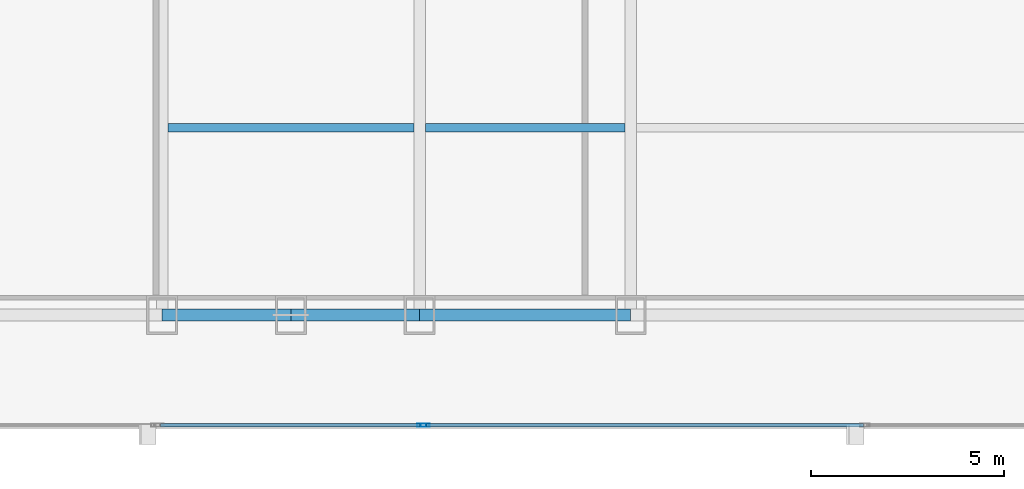
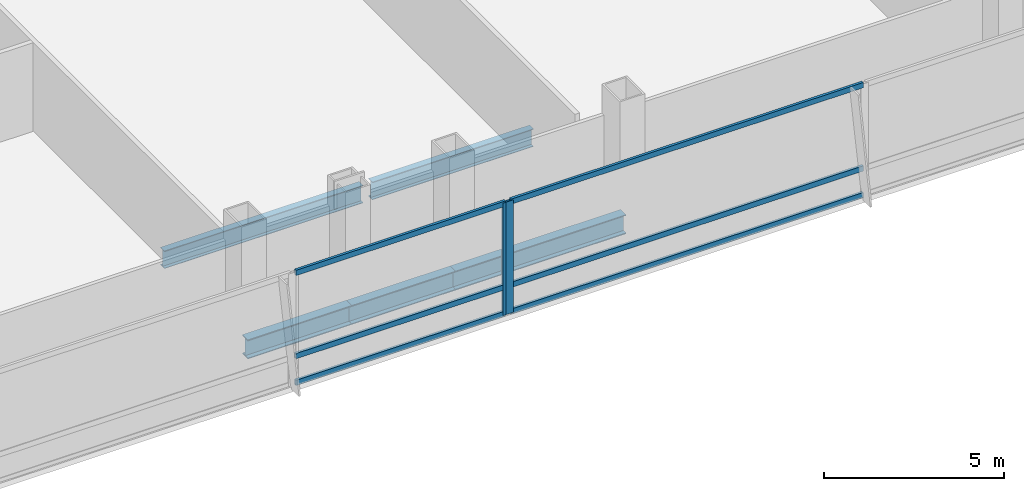
# One storey, part 8 of 35: 8 members, 5 beams, 2 elements without a shape of their own.
"""IFC4 building model written with IfcOpenShell, lengths in metres."""

from ifc_helpers import new_model, si_unit, direction, frame, origin, origin_2d, place, context, subcontext, project, spatial, hollow_rectangle, i_section, extrude, material, material_profile, profile_set, type_object, element, aggregate, save


model = new_model("IFC4")

# Units and contexts
model_context = context("Model", 3, precision=1e-05, world=origin(), true_north=direction((0.0, 1.0)))
body_context = subcontext(model_context, "Body", "Model", "MODEL_VIEW")
ifc_project = project(units=[si_unit("LENGTHUNIT", "METRE"), si_unit("AREAUNIT", "SQUARE_METRE"), si_unit("VOLUMEUNIT", "CUBIC_METRE"), si_unit("PLANEANGLEUNIT", "RADIAN"), si_unit("MASSUNIT", "GRAM", prefix="KILO")], contexts=[model_context])

# Site, building, storey
site_placement = place(None, origin())
site = spatial("IfcSite", under=ifc_project, at=site_placement, CompositionType="ELEMENT")
building_placement = place(site_placement, origin())
building = spatial("IfcBuilding", under=site, at=building_placement, Name="Khoronbel Lancet Exchange", CompositionType="ELEMENT")
storey_placement = place(building_placement, frame((0.0, 0.0, 69.800048828125)))
storey = spatial("IfcBuildingStorey", under=building, at=storey_placement, Name="L16", CompositionType="ELEMENT", Elevation=69.800048828125)

# Beams
ifc_material_1 = material(Name="Steel S355", Category="steel")
ifc_material_profile_1 = material_profile(ifc_material_1, i_section(OverallWidth=0.219970703125, OverallDepth=0.60009765625, WebThickness=0.011962890625, FlangeThickness=0.01904296875, at=origin_2d()), Name="IPE 600")
ifc_profile_set_1 = profile_set([ifc_material_profile_1], Name="Steel S355")
beam_type_1 = type_object("IfcBeamType", Name="BM-BJ1", PredefinedType="JOIST", material=ifc_profile_set_1)
beam_1_placement = place(storey_placement, frame((18.375, 15.0, -0.47998046875), z_axis=(1.0, 0.0, 0.0), x_axis=(0.0, 1.0, 0.0)))
element("IfcBeam", 1, at=beam_1_placement, inside=storey, type_object=beam_type_1, Name="Level L16 secondary composite joist J01", PredefinedType="JOIST", context=body_context, shape_type="SweptSolid", body=[
    extrude(i_section(OverallWidth=0.219970703125, OverallDepth=0.60009765625, WebThickness=0.011962890625, FlangeThickness=0.01904296875, at=origin_2d()), origin(), (0.0, 0.0, 1.0), 6.375),
])
beam_2_placement = place(storey_placement, frame((25.050048828125, 15.0, -0.47998046875), z_axis=(1.0, 0.0, 0.0), x_axis=(0.0, 1.0, 0.0)))
element("IfcBeam", 2, at=beam_2_placement, inside=storey, type_object=beam_type_1, Name="Level L16 secondary composite joist J02", PredefinedType="JOIST", context=body_context, shape_type="SweptSolid", body=[
    extrude(i_section(OverallWidth=0.219970703125, OverallDepth=0.60009765625, WebThickness=0.011962890625, FlangeThickness=0.01904296875, at=origin_2d()), origin(), (0.0, 0.0, 1.0), 5.175048828125),
])
ifc_material_profile_2 = material_profile(ifc_material_1, i_section(OverallWidth=0.300048828125, OverallDepth=0.64990234375, WebThickness=0.01611328125, FlangeThickness=0.031005859375, at=origin_2d()), Name="HEB 650")
ifc_profile_set_2 = profile_set([ifc_material_profile_2], Name="Steel S355")
beam_type_2 = type_object("IfcBeamType", Name="BM-BSP1", PredefinedType="SPANDREL", material=ifc_profile_set_2)
for number, where, z_axis, x_axis, name in (
    (3, (18.22509765625, 10.14990234375, -0.505126953125), (1.0, 0.0, 0.0), (0.0, 1.0, 0.0), "Level L16 perimeter spandrel beam SP02"),
    (4, (21.5625, 10.14990234375, -0.505126953125), (1.0, 0.0, 0.0), (0.0, 1.0, 0.0), "Level L16 perimeter spandrel beam SP03"),
):
    element("IfcBeam", number, at=place(storey_placement, frame(where, z_axis=z_axis, x_axis=x_axis)), inside=storey, type_object=beam_type_2, Name=name, PredefinedType="SPANDREL", context=body_context, shape_type="SweptSolid", body=[
        extrude(i_section(OverallWidth=0.300048828125, OverallDepth=0.64990234375, WebThickness=0.01611328125, FlangeThickness=0.031005859375, at=origin_2d()), origin(), (0.0, 0.0, 1.0), 3.33740234375),
    ])
beam_3_placement = place(storey_placement, frame((24.89990234375, 10.14990234375, -0.505126953125), z_axis=(1.0, 0.0, 0.0), x_axis=(0.0, 1.0, 0.0)))
element("IfcBeam", 5, at=beam_3_placement, inside=storey, type_object=beam_type_2, Name="Level L16 perimeter spandrel beam SP04", PredefinedType="SPANDREL", context=body_context, shape_type="SweptSolid", body=[
    extrude(i_section(OverallWidth=0.300048828125, OverallDepth=0.64990234375, WebThickness=0.01611328125, FlangeThickness=0.031005859375, at=origin_2d()), origin(), (0.0, 0.0, 1.0), 5.47509765625),
])

# Curtain wall, member
ifc_material_2 = material(Name="Low-E Solar Control Insulating Glass", Category="glass")
curtain_wall_type = type_object("IfcCurtainWallType", Name="CW-1", PredefinedType="NOTDEFINED", material=ifc_material_2)
curtain_wall_1_placement = place(storey_placement, origin())
curtain_wall_1 = element("IfcCurtainWall", 6, at=curtain_wall_1_placement, inside=storey, type_object=curtain_wall_type, Name="Unitised curtain wall CW-L16-SWB", PredefinedType="NOTDEFINED")
ifc_material_3 = material(Name="Bronze-Anodised Aluminium 6063-T6", Category="aluminium")
ifc_material_profile_3 = material_profile(ifc_material_3, hollow_rectangle(XDim=0.0849609375, YDim=0.239990234375, WallThickness=0.006103515625, at=origin_2d()), Name="ALU MULLION 85x240")
ifc_profile_set_3 = profile_set([ifc_material_profile_3], Name="Bronze-Anodised Aluminium 6063-T6")
member_type_1 = type_object("IfcMemberType", Name="MEM-CWM1", PredefinedType="MULLION", material=ifc_profile_set_3)
member_1_placement = place(storey_placement, frame((24.95751953125, 7.2900390625, 0.0), z_axis=(0.0, 0.0, 1.0), x_axis=(0.0, 1.0, 0.0)))
member_1 = element("IfcMember", 7, at=member_1_placement, type_object=member_type_1, Name="CW1 mullion 2", PredefinedType="MULLION", context=body_context, shape_type="SweptSolid", body=[
    extrude(hollow_rectangle(XDim=0.0849609375, YDim=0.239990234375, WallThickness=0.006103515625, at=origin_2d()), origin(), (0.0, 0.0, 1.0), 3.820068359375),
])

curtain_wall_2_placement = place(storey_placement, origin())
curtain_wall_2 = element("IfcCurtainWall", 8, at=curtain_wall_2_placement, inside=storey, type_object=curtain_wall_type, Name="Unitised curtain wall CW-L16-SCV", PredefinedType="NOTDEFINED")
member_2_placement = place(storey_placement, frame((25.04248046875, 7.2900390625, 0.0), z_axis=(0.0, 0.0, 1.0), x_axis=(0.0, 1.0, 0.0)))
member_2 = element("IfcMember", 9, at=member_2_placement, type_object=member_type_1, Name="CW1 mullion 1", PredefinedType="MULLION", context=body_context, shape_type="SweptSolid", body=[
    extrude(hollow_rectangle(XDim=0.0849609375, YDim=0.239990234375, WallThickness=0.006103515625, at=origin_2d()), origin(), (0.0, 0.0, 1.0), 3.820068359375),
])

# Member
ifc_material_profile_4 = material_profile(ifc_material_3, hollow_rectangle(XDim=0.0849609375, YDim=0.179931640625, WallThickness=0.0048828125, at=origin_2d()), Name="ALU TRANSOM 85x180")
ifc_profile_set_4 = profile_set([ifc_material_profile_4], Name="Bronze-Anodised Aluminium 6063-T6")
member_type_2 = type_object("IfcMemberType", Name="MEM-CWT1", PredefinedType="USERDEFINED", material=ifc_profile_set_4)
member_3_placement = place(storey_placement, frame((18.18505859375, 7.2900390625, 0.04248046875), z_axis=(1.0, 0.0, 0.0), x_axis=(0.0, 1.0, 0.0)))
member_3 = element("IfcMember", 10, at=member_3_placement, type_object=member_type_2, Name="CW1 transom 1.1", ObjectType="TRANSOM", PredefinedType="USERDEFINED", context=body_context, shape_type="SweptSolid", body=[
    extrude(hollow_rectangle(XDim=0.0849609375, YDim=0.179931640625, WallThickness=0.0048828125, at=origin_2d()), origin(), (0.0, 0.0, 1.0), 6.72998046875),
])

member_4_placement = place(storey_placement, frame((18.18505859375, 7.2900390625, 0.949951171875), z_axis=(1.0, 0.0, 0.0), x_axis=(0.0, 1.0, 0.0)))
member_4 = element("IfcMember", 11, at=member_4_placement, type_object=member_type_2, Name="CW1 transom 1.2", ObjectType="TRANSOM", PredefinedType="USERDEFINED", context=body_context, shape_type="SweptSolid", body=[
    extrude(hollow_rectangle(XDim=0.0849609375, YDim=0.179931640625, WallThickness=0.0048828125, at=origin_2d()), origin(), (0.0, 0.0, 1.0), 6.72998046875),
])

member_5_placement = place(storey_placement, frame((18.18505859375, 7.2900390625, 3.77734375), z_axis=(1.0, 0.0, 0.0), x_axis=(0.0, 1.0, 0.0)))
member_5 = element("IfcMember", 12, at=member_5_placement, type_object=member_type_2, Name="CW1 transom 1.3", ObjectType="TRANSOM", PredefinedType="USERDEFINED", context=body_context, shape_type="SweptSolid", body=[
    extrude(hollow_rectangle(XDim=0.0849609375, YDim=0.179931640625, WallThickness=0.0048828125, at=origin_2d()), origin(), (0.0, 0.0, 1.0), 6.72998046875),
])

aggregate(curtain_wall_1, [member_1, member_3, member_4, member_5])

member_6_placement = place(storey_placement, frame((25.0849609375, 7.2900390625, 0.04248046875), z_axis=(1.0, 0.0, 0.0), x_axis=(0.0, 1.0, 0.0)))
member_6 = element("IfcMember", 13, at=member_6_placement, type_object=member_type_2, Name="CW1 transom 1.1", ObjectType="TRANSOM", PredefinedType="USERDEFINED", context=body_context, shape_type="SweptSolid", body=[
    extrude(hollow_rectangle(XDim=0.0849609375, YDim=0.179931640625, WallThickness=0.0048828125, at=origin_2d()), origin(), (0.0, 0.0, 1.0), 11.322509765625),
])

member_7_placement = place(storey_placement, frame((25.0849609375, 7.2900390625, 0.949951171875), z_axis=(1.0, 0.0, 0.0), x_axis=(0.0, 1.0, 0.0)))
member_7 = element("IfcMember", 14, at=member_7_placement, type_object=member_type_2, Name="CW1 transom 1.2", ObjectType="TRANSOM", PredefinedType="USERDEFINED", context=body_context, shape_type="SweptSolid", body=[
    extrude(hollow_rectangle(XDim=0.0849609375, YDim=0.179931640625, WallThickness=0.0048828125, at=origin_2d()), origin(), (0.0, 0.0, 1.0), 11.322509765625),
])

member_8_placement = place(storey_placement, frame((25.0849609375, 7.2900390625, 3.77734375), z_axis=(1.0, 0.0, 0.0), x_axis=(0.0, 1.0, 0.0)))
member_8 = element("IfcMember", 15, at=member_8_placement, type_object=member_type_2, Name="CW1 transom 1.3", ObjectType="TRANSOM", PredefinedType="USERDEFINED", context=body_context, shape_type="SweptSolid", body=[
    extrude(hollow_rectangle(XDim=0.0849609375, YDim=0.179931640625, WallThickness=0.0048828125, at=origin_2d()), origin(), (0.0, 0.0, 1.0), 11.322509765625),
])

aggregate(curtain_wall_2, [member_2, member_6, member_7, member_8])

save(model, "model.ifc")
